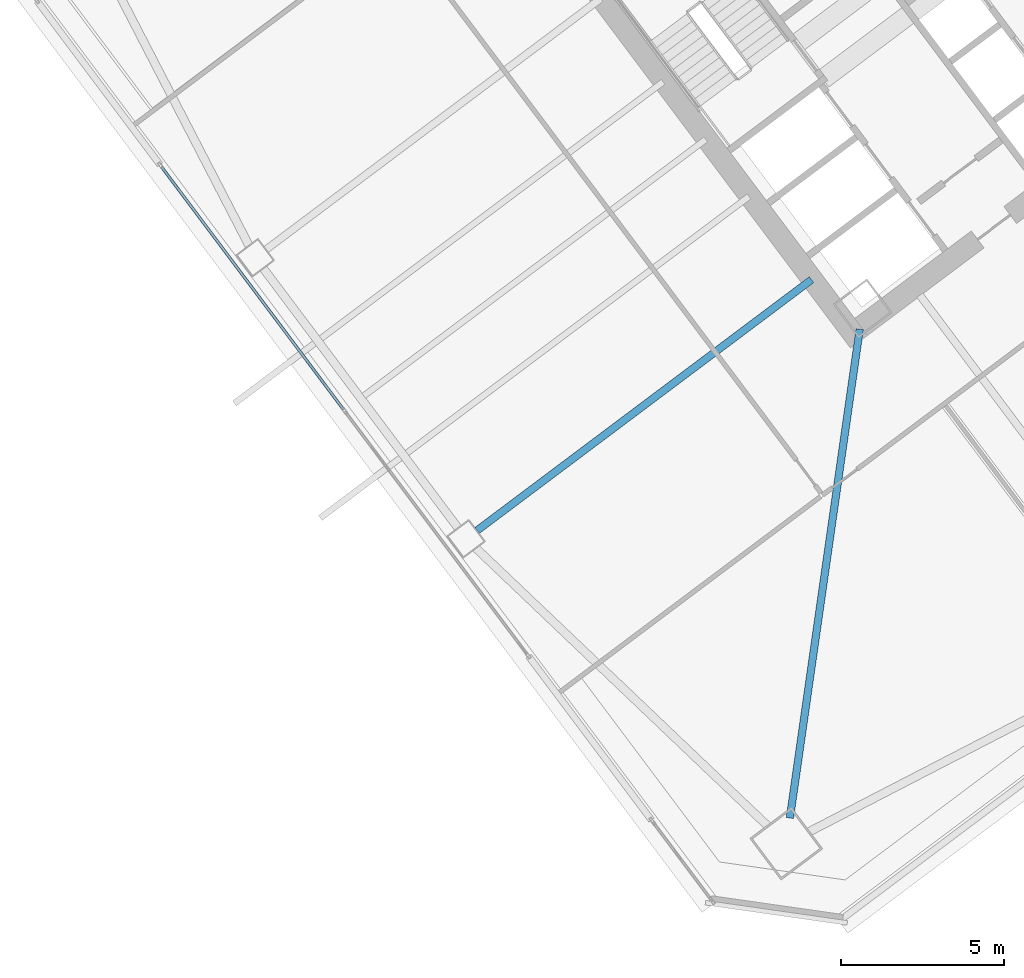
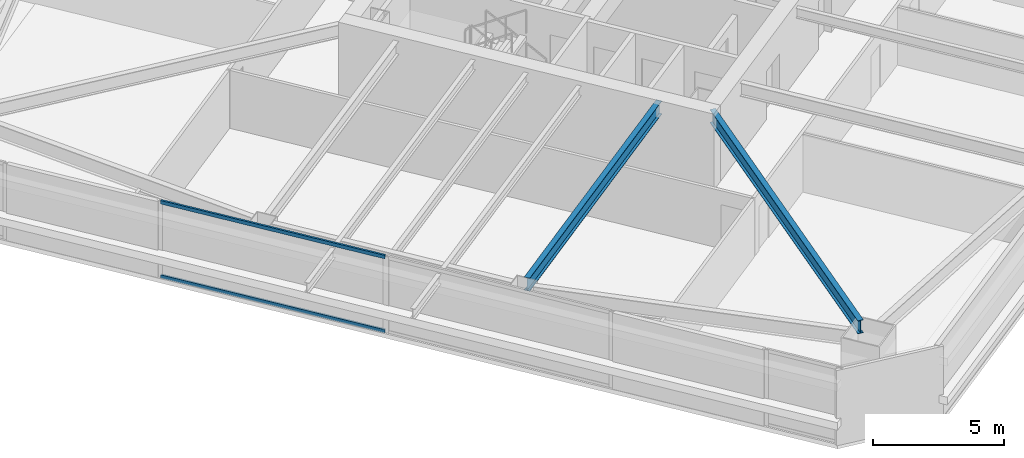
# One storey, part 22 of 48: 2 beams, 2 members, 1 element without a shape of its own.
"""IFC4 building model written with IfcOpenShell, lengths in metres."""

from ifc_helpers import new_model, si_unit, direction, frame, origin, origin_2d, place, context, subcontext, project, spatial, hollow_rectangle, i_section, extrude, material, material_profile, profile_set, type_object, element, aggregate, save


model = new_model("IFC4")

# Units and contexts
model_context = context("Model", 3, precision=1e-05, world=origin(), true_north=direction((0.0, 1.0)))
body_context = subcontext(model_context, "Body", "Model", "MODEL_VIEW")
ifc_project = project(units=[si_unit("LENGTHUNIT", "METRE"), si_unit("AREAUNIT", "SQUARE_METRE"), si_unit("VOLUMEUNIT", "CUBIC_METRE"), si_unit("PLANEANGLEUNIT", "RADIAN"), si_unit("MASSUNIT", "GRAM", prefix="KILO")], contexts=[model_context])

# Site, building, storey
site_placement = place(None, origin())
site = spatial("IfcSite", under=ifc_project, at=site_placement, CompositionType="ELEMENT")
building_placement = place(site_placement, origin())
building = spatial("IfcBuilding", under=site, at=building_placement, Name="Tashvorn Skyway Center", CompositionType="ELEMENT")
storey_placement = place(building_placement, frame((0.0, 0.0, 53.0)))
storey = spatial("IfcBuildingStorey", under=building, at=storey_placement, Name="L13", CompositionType="ELEMENT", Elevation=53.0)

# Beams
ifc_material_1 = material(Name="Steel ASTM A992 Grade 50", Category="steel")
ifc_material_profile_1 = material_profile(ifc_material_1, i_section(OverallWidth=0.22998046875, OverallDepth=0.616943359375, WebThickness=0.01318359375, FlangeThickness=0.022216796875, at=origin_2d()), Name="W24X94")
ifc_profile_set_1 = profile_set([ifc_material_profile_1], Name="Steel ASTM A992 Grade 50")
beam_type = type_object("IfcBeamType", Name="BM-BEAM-W24X94", PredefinedType="BEAM", material=ifc_profile_set_1)
beam_1_placement = place(storey_placement, frame((110.3525390625, 6.467041015625, 3.04150390625), z_axis=(0.141414599991, 0.989950458816, 0.0), x_axis=(-0.989950458816, 0.141414599991, 0.0)))
element("IfcBeam", 1, at=beam_1_placement, inside=storey, type_object=beam_type, Name="Tower 2 L13 Primary Floor Girder MC-SW", PredefinedType="BEAM", context=body_context, shape_type="SweptSolid", body=[
    extrude(i_section(OverallWidth=0.22998046875, OverallDepth=0.616943359375, WebThickness=0.01318359375, FlangeThickness=0.022216796875, at=origin_2d()), origin(), (0.0, 0.0, 1.0), 15.177001953125),
])
beam_2_placement = place(storey_placement, frame((100.736083984375, 15.302001953125, 3.04150390625), z_axis=(0.800002279907, 0.599996960112, 0.0), x_axis=(-0.599996960112, 0.800002279907, 0.0)))
element("IfcBeam", 2, at=beam_2_placement, inside=storey, type_object=beam_type, Name="Tower 2 L13 Primary Floor Girder FC-W2", PredefinedType="BEAM", context=body_context, shape_type="SweptSolid", body=[
    extrude(i_section(OverallWidth=0.22998046875, OverallDepth=0.616943359375, WebThickness=0.01318359375, FlangeThickness=0.022216796875, at=origin_2d()), origin(), (0.0, 0.0, 1.0), 12.85009765625),
])

# Curtain wall, members
ifc_material_2 = material(Name="Thermally broken bronze-anodized aluminium 6063-T6", Category="aluminium")
curtain_wall_type = type_object("IfcCurtainWallType", Name="CW-CW-Z1", PredefinedType="NOTDEFINED", material=ifc_material_2)
curtain_wall_placement = place(storey_placement, origin())
curtain_wall = element("IfcCurtainWall", 3, at=curtain_wall_placement, inside=storey, type_object=curtain_wall_type, Name="Tower 2 L13 West Unitised Curtain Wall Glazing Group 2", PredefinedType="NOTDEFINED")
ifc_material_profile_2 = material_profile(ifc_material_2, hollow_rectangle(XDim=0.0849609375, YDim=0.1650390625, WallThickness=0.0048828125, at=origin_2d()), Name="ALU-TRAN-85x165")
ifc_profile_set_2 = profile_set([ifc_material_profile_2], Name="Thermally broken bronze-anodized aluminium 6063-T6")
member_type = type_object("IfcMemberType", Name="CWT-CW-Z1", PredefinedType="USERDEFINED", material=ifc_profile_set_2)
member_1_placement = place(storey_placement, frame((96.630615234375, 19.02587890625, 0.04248046875), z_axis=(-0.6, 0.8, 0.0), x_axis=(-0.8, -0.6, 0.0)))
member_1 = element("IfcMember", 4, at=member_1_placement, type_object=member_type, Name="CW-Z1 transom 2.1", ObjectType="TRANSOM", PredefinedType="USERDEFINED", context=body_context, shape_type="SweptSolid", body=[
    extrude(hollow_rectangle(XDim=0.0849609375, YDim=0.1650390625, WallThickness=0.0048828125, at=origin_2d()), origin(), (0.0, 0.0, 1.0), 9.312744140625),
])
member_2_placement = place(storey_placement, frame((96.630615234375, 19.02587890625, 3.507568359375), z_axis=(-0.6, 0.8, 0.0), x_axis=(-0.8, -0.6, 0.0)))
member_2 = element("IfcMember", 5, at=member_2_placement, type_object=member_type, Name="CW-Z1 transom 2.2", ObjectType="TRANSOM", PredefinedType="USERDEFINED", context=body_context, shape_type="SweptSolid", body=[
    extrude(hollow_rectangle(XDim=0.0849609375, YDim=0.1650390625, WallThickness=0.0048828125, at=origin_2d()), origin(), (0.0, 0.0, 1.0), 9.312744140625),
])
aggregate(curtain_wall, [member_1, member_2])

save(model, "model.ifc")
